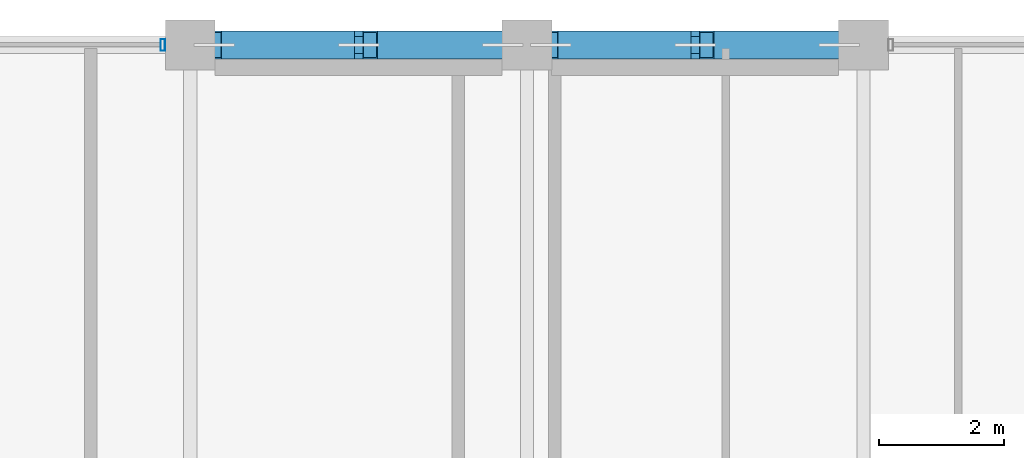
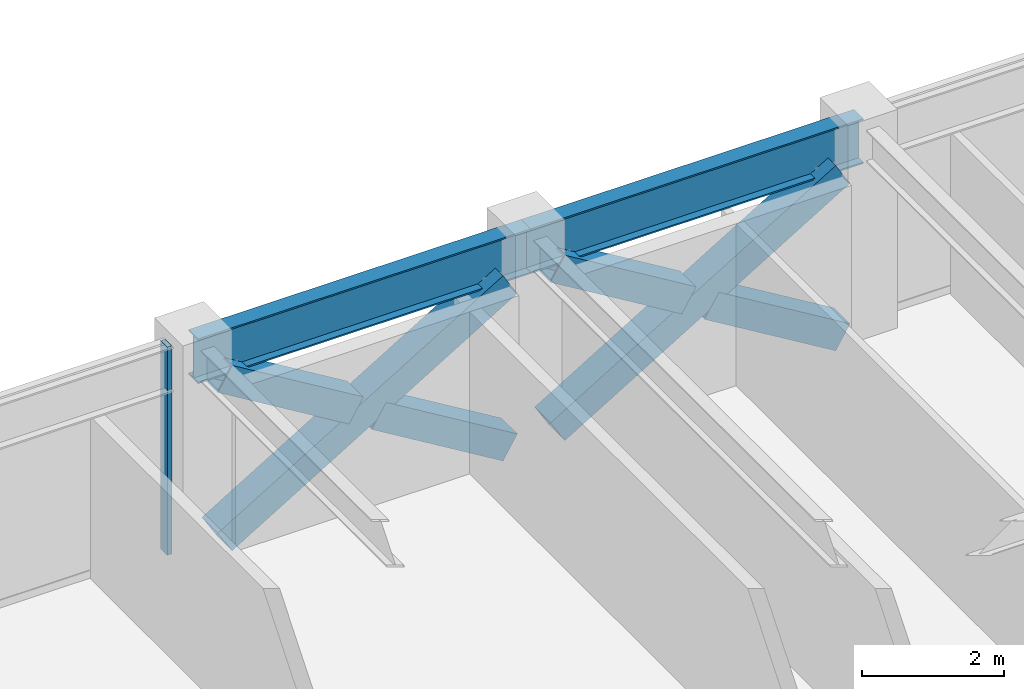
# One storey, part 21 of 32: 7 members, 2 beams, 1 element without a shape of its own.
"""IFC4 building model written with IfcOpenShell, lengths in metres."""

from ifc_helpers import new_model, si_unit, direction, frame, origin, origin_2d, place, context, subcontext, project, spatial, hollow_rectangle, i_section, extrude, material, layer, layer_set, material_profile, profile_set, type_object, element, aggregate, save


model = new_model("IFC4")

# Units and contexts
model_context = context("Model", 3, precision=1e-05, world=origin(), true_north=direction((0.0, 1.0)))
body_context = subcontext(model_context, "Body", "Model", "MODEL_VIEW")
ifc_project = project(units=[si_unit("LENGTHUNIT", "METRE"), si_unit("AREAUNIT", "SQUARE_METRE"), si_unit("VOLUMEUNIT", "CUBIC_METRE"), si_unit("PLANEANGLEUNIT", "RADIAN"), si_unit("MASSUNIT", "GRAM", prefix="KILO")], contexts=[model_context])

# Site, building, storey
site_placement = place(None, origin())
site = spatial("IfcSite", under=ifc_project, at=site_placement, CompositionType="ELEMENT")
building_placement = place(site_placement, origin())
building = spatial("IfcBuilding", under=site, at=building_placement, Name="Surkhivell Harbour Commons", CompositionType="ELEMENT")
storey_placement = place(building_placement, frame((0.0, 0.0, 223.5)))
storey = spatial("IfcBuildingStorey", under=building, at=storey_placement, Name="L58", CompositionType="ELEMENT", Elevation=223.5)

# Beams
ifc_material_1 = material(Name="Steel S355", Category="steel")
ifc_material_profile_1 = material_profile(ifc_material_1, i_section(OverallWidth=0.26806640625, OverallDepth=0.77001953125, WebThickness=0.015625, FlangeThickness=0.025390625, at=origin_2d()), Name="UB762x267x197")
ifc_profile_set_1 = profile_set([ifc_material_profile_1], Name="Steel S355")
beam_type = type_object("IfcBeamType", Name="BM-SPN-762", PredefinedType="SPANDREL", material=ifc_profile_set_1)
for number, where, z_axis, x_axis, name in (
    (1, (-5.39990234375, 25.89990234375, 3.18505859375), (1.0, 0.0, 0.0), (0.0, 1.0, 0.0), "L58 Tube Spandrel (-5.4,25.9)"),
    (2, (0.0, 25.89990234375, 3.18505859375), (1.0, 0.0, 0.0), (0.0, 1.0, 0.0), "L58 Tube Spandrel (-0.0,25.9)"),
):
    element("IfcBeam", number, at=place(storey_placement, frame(where, z_axis=z_axis, x_axis=x_axis)), inside=storey, type_object=beam_type, Name=name, PredefinedType="SPANDREL", context=body_context, shape_type="SweptSolid", body=[
        extrude(i_section(OverallWidth=0.26806640625, OverallDepth=0.77001953125, WebThickness=0.015625, FlangeThickness=0.025390625, at=origin_2d()), origin(), (0.0, 0.0, 1.0), 5.39990234375),
    ])

# Curtain wall, member
ifc_material_2 = material(Name="Anodised pale-metal aluminium and insulated glazing", Category="aluminium")
ifc_layer = layer(ifc_material_2, 0.18994140625)
ifc_layer_set = layer_set([ifc_layer], Name="Anodised pale-metal aluminium and insulated glazing")
curtain_wall_type = type_object("IfcCurtainWallType", Name="CW-SYS-Z3", PredefinedType="NOTDEFINED", material=ifc_layer_set)
curtain_wall_placement = place(storey_placement, origin())
curtain_wall = element("IfcCurtainWall", 3, at=curtain_wall_placement, inside=storey, type_object=curtain_wall_type, Name="L58 Curtain Wall CW-L58-E07S2", PredefinedType="NOTDEFINED")
ifc_material_3 = material(Name="Anodised pale-metal aluminium alloy 6063-T6", Category="aluminium")
ifc_material_profile_2 = material_profile(ifc_material_3, hollow_rectangle(XDim=0.074951171875, YDim=0.18994140625, WallThickness=0.00390625, at=origin_2d()), Name="ALU-MULL-75x190")
ifc_profile_set_2 = profile_set([ifc_material_profile_2], Name="Anodised pale-metal aluminium alloy 6063-T6")
member_type_1 = type_object("IfcMemberType", Name="CWM-190", PredefinedType="MULLION", material=ifc_profile_set_2)
member_1_placement = place(storey_placement, frame((-5.839599609375, 25.89990234375, 0.0), z_axis=(0.0, 0.0, 1.0), x_axis=(-1.0, 0.0, 0.0)))
member_1 = element("IfcMember", 4, at=member_1_placement, type_object=member_type_1, Name="CW-Z3 mullion 1", PredefinedType="MULLION", context=body_context, shape_type="SweptSolid", body=[
    extrude(hollow_rectangle(XDim=0.074951171875, YDim=0.18994140625, WallThickness=0.00390625, at=origin_2d()), origin(), (0.0, 0.0, 1.0), 3.570068359375),
])
aggregate(curtain_wall, [member_1])

# Members
ifc_material_4 = material(Name="Steel S460", Category="steel")
ifc_material_profile_3 = material_profile(ifc_material_4, hollow_rectangle(XDim=0.449951171875, YDim=0.449951171875, WallThickness=0.02197265625, at=origin_2d()), Name="SHS450x450x22")
ifc_profile_set_3 = profile_set([ifc_material_profile_3], Name="Steel S460")
member_type_2 = type_object("IfcMemberType", Name="MEM-BRC-SHS450", PredefinedType="BRACE", material=ifc_profile_set_3)
member_2_placement = place(storey_placement, frame((-5.014892578125, 25.89990234375, 0.008056640625), z_axis=(0.856023742961, 0.0, 0.516936506243), x_axis=(0.0, 1.0, 0.0)))
element("IfcMember", 5, at=member_2_placement, inside=storey, type_object=member_type_2, Name="L58 Perimeter Mega-Brace MB- 01", PredefinedType="BRACE", context=body_context, shape_type="SweptSolid", body=[
    extrude(hollow_rectangle(XDim=0.449951171875, YDim=0.449951171875, WallThickness=0.02197265625, at=origin_2d()), origin(), (0.0, 0.0, 1.0), 5.40869140625),
])
for number, where, z_axis, x_axis, name in (
    (6, (-0.385009765625, 25.89990234375, 0.008056640625), (-0.856061168755, 0.0, 0.516874525731), (0.0, -1.0, 0.0), "L58 Perimeter Mega-Brace MB- 02"),
    (7, (-2.885009765625, 25.89990234375, 1.517578125), (-0.855991532151, 0.0, 0.516989842149), (0.0, -1.0, 0.0), "L58 Perimeter Mega-Brace MB- 03"),
):
    element("IfcMember", number, at=place(storey_placement, frame(where, z_axis=z_axis, x_axis=x_axis)), inside=storey, type_object=member_type_2, Name=name, PredefinedType="BRACE", context=body_context, shape_type="SweptSolid", body=[
        extrude(hollow_rectangle(XDim=0.449951171875, YDim=0.449951171875, WallThickness=0.02197265625, at=origin_2d()), origin(), (0.0, 0.0, 1.0), 2.48828125),
    ])
member_3_placement = place(storey_placement, frame((0.385009765625, 25.89990234375, 0.008056640625), z_axis=(0.856023742961, 0.0, 0.516936506243), x_axis=(0.0, 1.0, 0.0)))
element("IfcMember", 8, at=member_3_placement, inside=storey, type_object=member_type_2, Name="L58 Perimeter Mega-Brace MB- 04", PredefinedType="BRACE", context=body_context, shape_type="SweptSolid", body=[
    extrude(hollow_rectangle(XDim=0.449951171875, YDim=0.449951171875, WallThickness=0.02197265625, at=origin_2d()), origin(), (0.0, 0.0, 1.0), 5.40869140625),
])
member_4_placement = place(storey_placement, frame((5.014892578125, 25.89990234375, 0.008056640625), z_axis=(-0.856034952881, 0.0, 0.516917942662), x_axis=(0.0, -1.0, 0.0)))
element("IfcMember", 9, at=member_4_placement, inside=storey, type_object=member_type_2, Name="L58 Perimeter Mega-Brace MB- 05", PredefinedType="BRACE", context=body_context, shape_type="SweptSolid", body=[
    extrude(hollow_rectangle(XDim=0.449951171875, YDim=0.449951171875, WallThickness=0.02197265625, at=origin_2d()), origin(), (0.0, 0.0, 1.0), 2.488037109375),
])
member_5_placement = place(storey_placement, frame((2.51513671875, 25.89990234375, 1.517578125), z_axis=(-0.856017753989, 0.0, 0.516946423584), x_axis=(0.0, -1.0, 0.0)))
element("IfcMember", 10, at=member_5_placement, inside=storey, type_object=member_type_2, Name="L58 Perimeter Mega-Brace MB- 06", PredefinedType="BRACE", context=body_context, shape_type="SweptSolid", body=[
    extrude(hollow_rectangle(XDim=0.449951171875, YDim=0.449951171875, WallThickness=0.02197265625, at=origin_2d()), origin(), (0.0, 0.0, 1.0), 2.488525390625),
])

save(model, "model.ifc")
